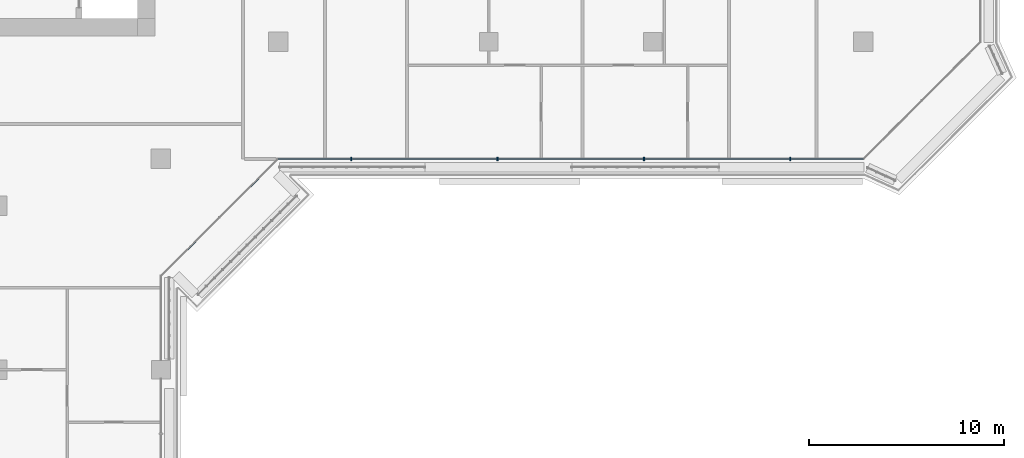
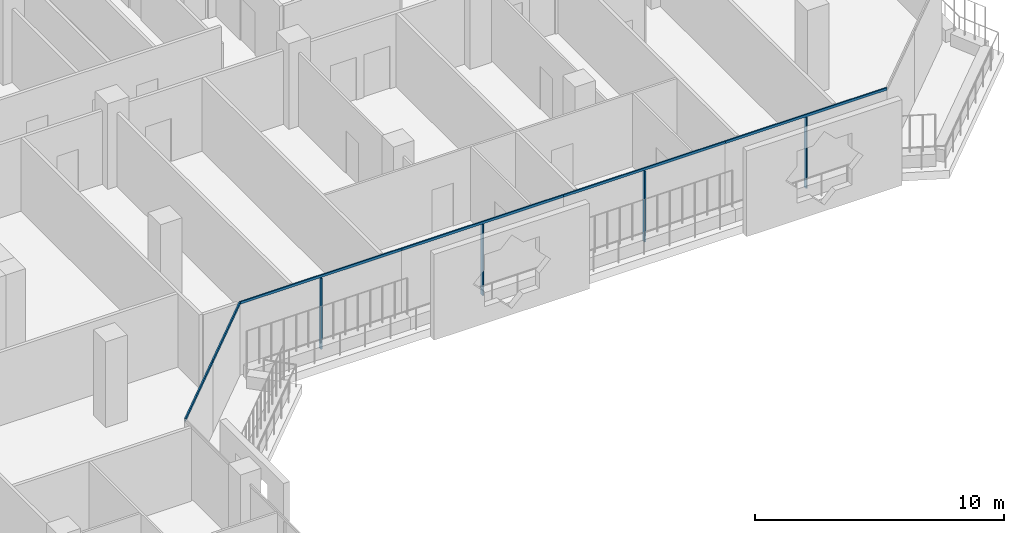
# One storey, part 3 of 22: 10 members, 2 elements without a shape of their own.
"""IFC4 building model written with IfcOpenShell, lengths in metres."""

import ifcopenshell
import ifcopenshell.guid

model = None  # the IFC model being written
_history = None  # IfcOwnerHistory: only IFC2X3 demands one
_inside = {}  # id of a spatial element -> (the spatial element, [elements in it])
_under = {}  # id of a project, library or spatial element -> (it, [spatial elements below it])
_declared = {}  # id of a project -> (the project, [libraries it declares])
_typed = {}  # id of a type object -> (the type object, [elements of that type])
_made_of = {}  # id of a material, layer set ... -> (it, [elements and type objects made of it])


def new_model(schema):
    """Start an empty IFC model of exactly this schema.

    Asked for "IFC4X3", IfcOpenShell would pick the latest addendum, in which some entities
    have other attributes; the version numbers below select the first issue.
    IFC2X3 requires an IfcOwnerHistory on every rooted entity: one is made here for all.
    """
    global model, _history
    if schema == "IFC4X3":
        model = ifcopenshell.file(schema_version=(4, 3, 0, 0))
    else:
        model = ifcopenshell.file(schema=schema)
    _inside.clear()
    _under.clear()
    _declared.clear()
    _typed.clear()
    _made_of.clear()
    _history = None
    if model.schema == "IFC2X3":
        org = make("IfcOrganization", Name="unknown")
        user = make(
            "IfcPersonAndOrganization",
            ThePerson=make("IfcPerson", FamilyName="unknown"),
            TheOrganization=org,
        )
        app = make(
            "IfcApplication",
            ApplicationDeveloper=org,
            Version="unknown",
            ApplicationFullName="unknown",
            ApplicationIdentifier="unknown",
        )
        _history = make(
            "IfcOwnerHistory",
            OwningUser=user,
            OwningApplication=app,
            ChangeAction="ADDED",
            CreationDate=0,
        )
    return model


def make(cls, **values):
    """One entity of the class cls with the attributes given. An attribute that is None is left unset."""
    return model.create_entity(
        cls, **{name: value for name, value in values.items() if value is not None}
    )


def rooted(cls, **values):
    """An entity with a GlobalId (a new one), such as an element, a storey or a relation."""
    return make(cls, GlobalId=ifcopenshell.guid.new(), OwnerHistory=_history, **values)


def si_unit(unit_type, name, prefix=None):
    """IfcSIUnit, for example si_unit("LENGTHUNIT", "METRE", prefix="MILLI")."""
    return make("IfcSIUnit", UnitType=unit_type, Prefix=prefix, Name=name)


def assignment(units):
    """IfcUnitAssignment: the units of a project."""
    return None if units is None else make("IfcUnitAssignment", Units=units)


def point(xyz):
    """IfcCartesianPoint."""
    return None if xyz is None else make("IfcCartesianPoint", Coordinates=xyz)


def direction(xyz):
    """IfcDirection."""
    return None if xyz is None else make("IfcDirection", DirectionRatios=xyz)


def frame(location, z_axis=None, x_axis=None):
    """IfcAxis2Placement3D, a coordinate frame: its origin and axes. An axis left out is left unset."""
    return make(
        "IfcAxis2Placement3D",
        Location=point(location),
        Axis=direction(z_axis),
        RefDirection=direction(x_axis),
    )


def frame_2d(location, x_axis=None):
    """IfcAxis2Placement2D, a coordinate frame in the plane: its origin and x axis."""
    return make(
        "IfcAxis2Placement2D", Location=point(location), RefDirection=direction(x_axis)
    )


def origin():
    """The frame at (0, 0, 0) with its axes left unset."""
    return frame((0.0, 0.0, 0.0))


def origin_2d():
    """The frame at (0, 0) in the plane with its x axis left unset."""
    return frame_2d((0.0, 0.0))


def place(relative_to, where):
    """IfcLocalPlacement: puts the frame where relative to a parent placement (None: the world)."""
    return make(
        "IfcLocalPlacement", PlacementRelTo=relative_to, RelativePlacement=where
    )


def context(
    kind, dimensions, precision=None, world=None, true_north=None, identifier=None
):
    """IfcGeometricRepresentationContext, for example the 3D "Model" context."""
    return make(
        "IfcGeometricRepresentationContext",
        ContextIdentifier=identifier,
        ContextType=kind,
        CoordinateSpaceDimension=dimensions,
        Precision=precision,
        WorldCoordinateSystem=world,
        TrueNorth=true_north,
    )


def subcontext(parent, identifier, kind, view, scale=None):
    """IfcGeometricRepresentationSubContext, for example "Body" below "Model"."""
    return make(
        "IfcGeometricRepresentationSubContext",
        ContextIdentifier=identifier,
        ContextType=kind,
        ParentContext=parent,
        TargetScale=scale,
        TargetView=view,
    )


def project(units=None, contexts=None):
    """IfcProject with its units and contexts."""
    return rooted(
        "IfcProject",
        Name="project",
        RepresentationContexts=contexts,
        UnitsInContext=assignment(units),
    )


def spatial(cls, under=None, at=None, **own):
    """A site, building, storey or space (cls), placed at a placement, below another one or the project."""
    s = rooted(cls, ObjectPlacement=at, **own)
    if under is not None:
        _under.setdefault(under.id(), (under, []))[1].append(s)
    return s


def profile(cls, at=None, kind="AREA", **sizes):
    """A parametric profile (cls). Its sizes go by their IFC names, for example OverallWidth=200.0."""
    return make(cls, ProfileType=kind, Position=at, **sizes)


def rectangle(**sizes):
    """IfcRectangleProfileDef."""
    return profile("IfcRectangleProfileDef", **sizes)


def extrude(swept, where, along, depth):
    """IfcExtrudedAreaSolid: the profile swept, set in the frame where, extruded along a direction by depth."""
    return make(
        "IfcExtrudedAreaSolid",
        SweptArea=swept,
        Position=where,
        ExtrudedDirection=direction(along),
        Depth=depth,
    )


def shape(context_of_items, identifier, shape_type, items):
    """IfcShapeRepresentation: the items that make up one representation, for example the "Body"."""
    return make(
        "IfcShapeRepresentation",
        ContextOfItems=context_of_items,
        RepresentationIdentifier=identifier,
        RepresentationType=shape_type,
        Items=items,
    )


def material(Name=None, Category=None):
    """IfcMaterial."""
    return make("IfcMaterial", Name=Name, Category=Category)


def layer(
    of_material, thickness, ventilated=None, Name=None, Category=None, Priority=None
):
    """IfcMaterialLayer: one layer of a wall or slab, of a material (None: an air gap)."""
    return make(
        "IfcMaterialLayer",
        Material=of_material,
        LayerThickness=thickness,
        IsVentilated=ventilated,
        Name=Name,
        Category=Category,
        Priority=Priority,
    )


def layer_set(layers, Name=None):
    """IfcMaterialLayerSet."""
    return make("IfcMaterialLayerSet", MaterialLayers=layers, LayerSetName=Name)


def material_profile(
    of_material, cross_section, Name=None, Category=None, Priority=None
):
    """IfcMaterialProfile: a cross section and its material."""
    return make(
        "IfcMaterialProfile",
        Name=Name,
        Material=of_material,
        Profile=cross_section,
        Priority=Priority,
        Category=Category,
    )


def profile_set(profiles, Name=None, composite=None):
    """IfcMaterialProfileSet."""
    return make(
        "IfcMaterialProfileSet",
        Name=Name,
        MaterialProfiles=profiles,
        CompositeProfile=composite,
    )


def made_of(thing, what):
    """Note that an element or type object is made of a material, layer set ...; save() writes the relation."""
    if what is not None:
        _made_of.setdefault(what.id(), (what, []))[1].append(thing)
    return thing


def type_object(cls, material=None, **own):
    """A type object (cls), such as IfcWallType, which elements share."""
    return made_of(rooted(cls, **own), material)


def element(
    cls,
    number,
    at=None,
    inside=None,
    cuts=None,
    type_object=None,
    material=None,
    context=None,
    identifier="Body",
    shape_type=None,
    held_by="IfcProductDefinitionShape",
    body=None,
    shapes=None,
    **own,
):
    """One element of the class cls, such as IfcWall. Its Tag is "e" and its number.

    at: its placement. inside: the storey or other place that contains it. cuts: it is an
    opening in that element (IfcRelVoidsElement). A single representation is given by context,
    identifier, shape_type and body (its items); several are given by shapes. held_by: the class
    of the entity that holds the representations. save() writes the other relations.
    """
    e = rooted(cls, Tag="e%d" % number, ObjectPlacement=at, **own)
    if body is not None:
        shapes = [shape(context, identifier, shape_type, body)]
    if shapes is not None:
        e.Representation = make(held_by, Representations=shapes)
    if inside is not None:
        _inside.setdefault(inside.id(), (inside, []))[1].append(e)
    if cuts is not None:
        rooted(
            "IfcRelVoidsElement", RelatingBuildingElement=cuts, RelatedOpeningElement=e
        )
    if type_object is not None:
        _typed.setdefault(type_object.id(), (type_object, []))[1].append(e)
    return made_of(e, material)


def aggregate(whole, parts):
    """IfcRelAggregates: a whole, such as a stair, and the parts it consists of."""
    return rooted("IfcRelAggregates", RelatingObject=whole, RelatedObjects=parts)


def save(model, path):
    """Write the relations noted so far, then the file.

    IfcRelAggregates (storeys below a building ...), IfcRelContainedInSpatialStructure (elements
    in a storey), IfcRelDefinesByType, IfcRelAssociatesMaterial and IfcRelDeclares: one each for
    every whole, place, type object, material and project.
    """
    for whole, parts in _under.values():
        aggregate(whole, parts)
    for where, things in _inside.values():
        rooted(
            "IfcRelContainedInSpatialStructure",
            RelatedElements=things,
            RelatingStructure=where,
        )
    for kind, things in _typed.values():
        rooted("IfcRelDefinesByType", RelatedObjects=things, RelatingType=kind)
    for what, things in _made_of.values():
        rooted("IfcRelAssociatesMaterial", RelatedObjects=things, RelatingMaterial=what)
    for by, libraries in _declared.values():
        rooted("IfcRelDeclares", RelatingContext=by, RelatedDefinitions=libraries)
    model.write(path)


model = new_model("IFC4")

# Units and contexts
model_context = context("Model", 3, precision=1e-05, world=origin(), true_north=direction((0.0, 1.0)))
body_context = subcontext(model_context, "Body", "Model", "MODEL_VIEW")
ifc_project = project(units=[si_unit("LENGTHUNIT", "METRE"), si_unit("AREAUNIT", "SQUARE_METRE"), si_unit("VOLUMEUNIT", "CUBIC_METRE"), si_unit("PLANEANGLEUNIT", "RADIAN"), si_unit("MASSUNIT", "GRAM", prefix="KILO")], contexts=[model_context])

# Site, building, storey
site_placement = place(None, origin())
site = spatial("IfcSite", under=ifc_project, at=site_placement, CompositionType="ELEMENT")
building_placement = place(site_placement, origin())
building = spatial("IfcBuilding", under=site, at=building_placement, Name="Kawkab Arch Medical Tower", CompositionType="ELEMENT")
storey_placement = place(building_placement, frame((0.0, 0.0, 204.60009765625)))
storey = spatial("IfcBuildingStorey", under=building, at=storey_placement, Name="L47", CompositionType="ELEMENT", Elevation=204.60009765625)

# Curtain wall, members
ifc_material_1 = material(Name="Bronze anodised aluminium curtain wall frame", Category="aluminium")
ifc_layer_1 = layer(ifc_material_1, 0.159912109375)
ifc_layer_set_1 = layer_set([ifc_layer_1], Name="Bronze anodised aluminium curtain wall frame")
curtain_wall_type_1 = type_object("IfcCurtainWallType", Name="CW1 ward curtain wall", PredefinedType="NOTDEFINED", material=ifc_layer_set_1)
placement = place(storey_placement, origin())
curtain_wall_1 = element("IfcCurtainWall", 1, at=placement, inside=storey, type_object=curtain_wall_type_1, Name="CW1 Ward curtain wall R07", PredefinedType="NOTDEFINED")
ifc_material_2 = material(Name="Bronze anodised aluminium curtain wall frame", Category="aluminium")
ifc_material_profile_1 = material_profile(ifc_material_2, rectangle(XDim=0.179931640625, YDim=0.06005859375, at=origin_2d()), Name="AL 60x180")
ifc_profile_set_1 = profile_set([ifc_material_profile_1], Name="Bronze anodised aluminium curtain wall frame")
member_type_1 = type_object("IfcMemberType", Name="CW1 mullion 60 x 180", PredefinedType="MULLION", material=ifc_profile_set_1)
member_1_placement = place(storey_placement, frame((34.949951171875, -31.199951171875, 0.0), z_axis=(0.0, 0.0, 1.0), x_axis=(0.0, 1.0, 0.0)))
member_1 = element("IfcMember", 2, at=member_1_placement, type_object=member_type_1, Name="CW1 mullion 1.1", PredefinedType="MULLION", context=body_context, shape_type="SweptSolid", body=[
    extrude(rectangle(XDim=0.179931640625, YDim=0.06005859375, at=origin_2d()), origin(), (0.0, 0.0, 1.0), 3.47998046875),
])
member_2_placement = place(storey_placement, frame((42.449951171875, -31.199951171875, 0.0), z_axis=(0.0, 0.0, 1.0), x_axis=(0.0, 1.0, 0.0)))
member_2 = element("IfcMember", 3, at=member_2_placement, type_object=member_type_1, Name="CW1 mullion 2.1", PredefinedType="MULLION", context=body_context, shape_type="SweptSolid", body=[
    extrude(rectangle(XDim=0.179931640625, YDim=0.06005859375, at=origin_2d()), origin(), (0.0, 0.0, 1.0), 3.47998046875),
])
member_3_placement = place(storey_placement, frame((49.949951171875, -31.199951171875, 0.0), z_axis=(0.0, 0.0, 1.0), x_axis=(0.0, 1.0, 0.0)))
member_3 = element("IfcMember", 4, at=member_3_placement, type_object=member_type_1, Name="CW1 mullion 3.1", PredefinedType="MULLION", context=body_context, shape_type="SweptSolid", body=[
    extrude(rectangle(XDim=0.179931640625, YDim=0.06005859375, at=origin_2d()), origin(), (0.0, 0.0, 1.0), 3.47998046875),
])
member_4_placement = place(storey_placement, frame((57.449951171875, -31.199951171875, 0.0), z_axis=(0.0, 0.0, 1.0), x_axis=(0.0, 1.0, 0.0)))
member_4 = element("IfcMember", 5, at=member_4_placement, type_object=member_type_1, Name="CW1 mullion 4.1", PredefinedType="MULLION", context=body_context, shape_type="SweptSolid", body=[
    extrude(rectangle(XDim=0.179931640625, YDim=0.06005859375, at=origin_2d()), origin(), (0.0, 0.0, 1.0), 3.47998046875),
])
ifc_material_3 = material(Name="Bronze anodised aluminium curtain wall frame", Category="aluminium")
ifc_material_profile_2 = material_profile(ifc_material_3, rectangle(XDim=0.06005859375, YDim=0.1201171875, at=origin_2d()), Name="AL 60x120")
ifc_profile_set_2 = profile_set([ifc_material_profile_2], Name="Bronze anodised aluminium curtain wall frame")
member_type_2 = type_object("IfcMemberType", Name="CW1 transom 120 x 60", PredefinedType="USERDEFINED", material=ifc_profile_set_2)
member_5_placement = place(storey_placement, frame((31.199951171875, -31.199951171875, 3.539794921875), z_axis=(1.0, 0.0, 0.0), x_axis=(0.0, 1.0, 0.0)))
member_5 = element("IfcMember", 6, at=member_5_placement, type_object=member_type_2, Name="CW1 transom 1", ObjectType="TRANSOM", PredefinedType="USERDEFINED", context=body_context, shape_type="SweptSolid", body=[
    extrude(rectangle(XDim=0.06005859375, YDim=0.1201171875, at=origin_2d()), origin(), (0.0, 0.0, 1.0), 7.5),
])
member_6_placement = place(storey_placement, frame((38.699951171875, -31.199951171875, 3.539794921875), z_axis=(1.0, 0.0, 0.0), x_axis=(0.0, 1.0, 0.0)))
member_6 = element("IfcMember", 7, at=member_6_placement, type_object=member_type_2, Name="CW1 transom 2", ObjectType="TRANSOM", PredefinedType="USERDEFINED", context=body_context, shape_type="SweptSolid", body=[
    extrude(rectangle(XDim=0.06005859375, YDim=0.1201171875, at=origin_2d()), origin(), (0.0, 0.0, 1.0), 7.5),
])
member_7_placement = place(storey_placement, frame((46.199951171875, -31.199951171875, 3.539794921875), z_axis=(1.0, 0.0, 0.0), x_axis=(0.0, 1.0, 0.0)))
member_7 = element("IfcMember", 8, at=member_7_placement, type_object=member_type_2, Name="CW1 transom 3", ObjectType="TRANSOM", PredefinedType="USERDEFINED", context=body_context, shape_type="SweptSolid", body=[
    extrude(rectangle(XDim=0.06005859375, YDim=0.1201171875, at=origin_2d()), origin(), (0.0, 0.0, 1.0), 7.5),
])
member_8_placement = place(storey_placement, frame((53.699951171875, -31.199951171875, 3.539794921875), z_axis=(1.0, 0.0, 0.0), x_axis=(0.0, 1.0, 0.0)))
member_8 = element("IfcMember", 9, at=member_8_placement, type_object=member_type_2, Name="CW1 transom 4", ObjectType="TRANSOM", PredefinedType="USERDEFINED", context=body_context, shape_type="SweptSolid", body=[
    extrude(rectangle(XDim=0.06005859375, YDim=0.1201171875, at=origin_2d()), origin(), (0.0, 0.0, 1.0), 7.5),
])
aggregate(curtain_wall_1, [member_5, member_1, member_6, member_2, member_7, member_3, member_8, member_4])

ifc_material_4 = material(Name="Bronze anodised aluminium curtain wall frame", Category="aluminium")
ifc_layer_2 = layer(ifc_material_4, 0.159912109375)
ifc_layer_set_2 = layer_set([ifc_layer_2], Name="Bronze anodised aluminium curtain wall frame")
curtain_wall_type_2 = type_object("IfcCurtainWallType", Name="CW2 chamfer curtain wall", PredefinedType="NOTDEFINED", material=ifc_layer_set_2)
curtain_wall_2 = element("IfcCurtainWall", 10, at=placement, inside=storey, type_object=curtain_wall_type_2, Name="CW2 Chamfer curtain wall R06", PredefinedType="NOTDEFINED")
ifc_material_5 = material(Name="Bronze anodised aluminium curtain wall frame", Category="aluminium")
ifc_material_profile_3 = material_profile(ifc_material_5, rectangle(XDim=0.06005859375, YDim=0.139892578125, at=origin_2d()), Name="AL 60x140")
ifc_profile_set_3 = profile_set([ifc_material_profile_3], Name="Bronze anodised aluminium curtain wall frame")
member_type_3 = type_object("IfcMemberType", Name="CW2 transom 140 x 60", PredefinedType="USERDEFINED", material=ifc_profile_set_3)
member_9_placement = place(storey_placement, frame((25.199951171875, -37.199951171875, 3.52978515625), z_axis=(0.707106781187, 0.707106781187, 0.0), x_axis=(-0.707106781187, 0.707106781187, 0.0)))
member_9 = element("IfcMember", 11, at=member_9_placement, type_object=member_type_3, Name="CW2 transom 1", ObjectType="TRANSOM", PredefinedType="USERDEFINED", context=body_context, shape_type="SweptSolid", body=[
    extrude(rectangle(XDim=0.06005859375, YDim=0.139892578125, at=origin_2d()), origin(), (0.0, 0.0, 1.0), 4.24267578125),
])
member_10_placement = place(storey_placement, frame((28.199951171875, -34.199951171875, 3.52978515625), z_axis=(0.707106781187, 0.707106781187, 0.0), x_axis=(-0.707106781187, 0.707106781187, 0.0)))
member_10 = element("IfcMember", 12, at=member_10_placement, type_object=member_type_3, Name="CW2 transom 2", ObjectType="TRANSOM", PredefinedType="USERDEFINED", context=body_context, shape_type="SweptSolid", body=[
    extrude(rectangle(XDim=0.06005859375, YDim=0.139892578125, at=origin_2d()), origin(), (0.0, 0.0, 1.0), 4.24267578125),
])
aggregate(curtain_wall_2, [member_9, member_10])

save(model, "model.ifc")
